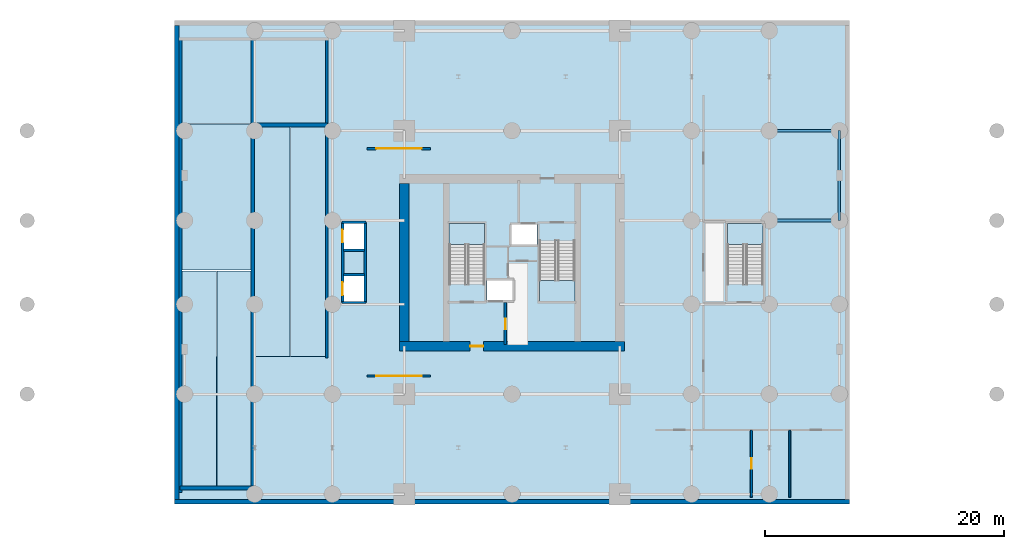
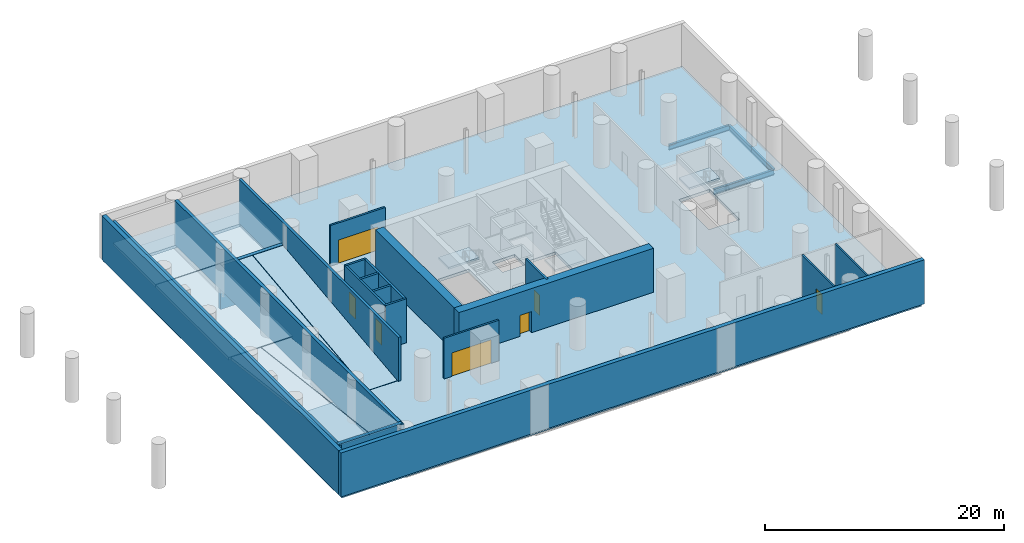
# One storey, part 5 of 8: 20 walls, 10 slabs, 7 doors, 4 beams, 7 openings, 3 elements without a shape of their own.
"""IFC4 building model written with IfcOpenShell, lengths in metres."""

from ifc_helpers import new_model, si_unit, direction, frame, frame_2d, origin, origin_2d, place, context, subcontext, project, spatial, polyline, rectangle, i_section, outline, extrude, material, layer, layer_set, material_profile, profile_set, type_object, element, fill, aggregate, save


model = new_model("IFC4")

# Units and contexts
model_context = context("Model", 3, precision=1e-05, world=origin(), true_north=direction((0.0, 1.0)))
body_context = subcontext(model_context, "Body", "Model", "MODEL_VIEW")
ifc_project = project(units=[si_unit("LENGTHUNIT", "METRE"), si_unit("AREAUNIT", "SQUARE_METRE"), si_unit("VOLUMEUNIT", "CUBIC_METRE"), si_unit("PLANEANGLEUNIT", "RADIAN"), si_unit("MASSUNIT", "GRAM", prefix="KILO")], contexts=[model_context])

# Site, building, storey
site_placement = place(None, origin())
site = spatial("IfcSite", under=ifc_project, at=site_placement, CompositionType="ELEMENT")
building_placement = place(site_placement, origin())
building = spatial("IfcBuilding", under=site, at=building_placement, Name="Veldorim Arch Residences", CompositionType="ELEMENT")
storey_placement = place(building_placement, frame((0.0, 0.0, -4.5)))
storey = spatial("IfcBuildingStorey", under=building, at=storey_placement, Name="B1", CompositionType="ELEMENT", Elevation=-4.5)

# Beams
ifc_material_1 = material(Name="Steel S355", Category="steel")
ifc_material_profile_1 = material_profile(ifc_material_1, i_section(OverallWidth=0.2099609375, OverallDepth=0.53662109375, WebThickness=0.0107421875, FlangeThickness=0.017333984375, at=origin_2d()), Name="UB533x210x101")
ifc_profile_set_1 = profile_set([ifc_material_profile_1], Name="Steel S355")
beam_type_1 = type_object("IfcBeamType", Name="Structural Steel Beam UB533x210x101", PredefinedType="BEAM", material=ifc_profile_set_1)
for number, where, z_axis, x_axis, name in (
    (1, (59.35009765625, 27.5, -0.568359375), (0.0, 1.0, 0.0), (-1.0, 0.0, 0.0), "B1 north-south floor beam (X=59.4, 27.5-31.2)"),
    (2, (59.35009765625, 31.25, -0.568359375), (0.0, 1.0, 0.0), (-1.0, 0.0, 0.0), "B1 north-south floor beam (X=59.4, 31.2-35.0)"),
):
    element("IfcBeam", number, at=place(storey_placement, frame(where, z_axis=z_axis, x_axis=x_axis)), inside=storey, type_object=beam_type_1, Name=name, PredefinedType="BEAM", context=body_context, shape_type="SweptSolid", body=[
        extrude(i_section(OverallWidth=0.2099609375, OverallDepth=0.53662109375, WebThickness=0.0107421875, FlangeThickness=0.017333984375, at=origin_2d()), origin(), (0.0, 0.0, 1.0), 3.75),
    ])
ifc_material_2 = material(Name="Steel S355", Category="steel")
ifc_material_profile_2 = material_profile(ifc_material_2, i_section(OverallWidth=0.2119140625, OverallDepth=0.54443359375, WebThickness=0.0126953125, FlangeThickness=0.021240234375, at=origin_2d()), Name="UB533x210x122")
ifc_profile_set_2 = profile_set([ifc_material_profile_2], Name="Steel S355")
beam_type_2 = type_object("IfcBeamType", Name="Structural Steel Beam UB533x210x122", PredefinedType="BEAM", material=ifc_profile_set_2)
for number, where, z_axis, x_axis, name in (
    (3, (53.5, 27.5, -0.572265625), (1.0, 0.0, 0.0), (0.0, 1.0, 0.0), "B1 east-west floor beam (53.5-59.4, Y=27.5)"),
    (4, (53.5, 35.0, -0.572265625), (1.0, 0.0, 0.0), (0.0, 1.0, 0.0), "B1 east-west floor beam (53.5-59.4, Y=35.0)"),
):
    element("IfcBeam", number, at=place(storey_placement, frame(where, z_axis=z_axis, x_axis=x_axis)), inside=storey, type_object=beam_type_2, Name=name, PredefinedType="BEAM", context=body_context, shape_type="SweptSolid", body=[
        extrude(i_section(OverallWidth=0.2119140625, OverallDepth=0.54443359375, WebThickness=0.0126953125, FlangeThickness=0.021240234375, at=origin_2d()), origin(), (0.0, 0.0, 1.0), 5.85009765625),
    ])

# Slab
ifc_material_3 = material(Name="Concrete C40/50", Category="concrete")
ifc_layer_1 = layer(ifc_material_3, 0.300048828125, Name="Basement B1 Suspended Car Park Slab 300")
ifc_layer_set_1 = layer_set([ifc_layer_1], Name="Concrete C40/50")
slab_type_1 = type_object("IfcSlabType", Name="Basement B1 Suspended Car Park Slab 300", PredefinedType="FLOOR", material=ifc_layer_set_1)
slab_1_placement = place(storey_placement, frame((0.0, 0.0, -0.300048828125)))
element("IfcSlab", 5, at=slab_1_placement, inside=storey, type_object=slab_type_1, Name="B1 car park floor slab", PredefinedType="FLOOR", context=body_context, shape_type="SweptSolid", body=[
    extrude(outline(polyline([(4.0, 4.0), (60.0, 4.0), (60.0, 44.0), (4.0, 44.0), (4.0, 4.0)]), holes=[polyline([(29.909912109375, 20.81494140625), (29.909912109375, 22.544921875), (32.090087890625, 22.544921875), (32.090087890625, 20.81494140625), (29.909912109375, 20.81494140625)]), polyline([(17.93505859375, 20.7099609375), (17.93505859375, 22.889892578125), (19.6650390625, 22.889892578125), (19.6650390625, 20.7099609375), (17.93505859375, 20.7099609375)]), polyline([(34.2900390625, 20.75), (34.2900390625, 25.804931640625), (37.25, 25.804931640625), (37.25, 20.75), (34.2900390625, 20.75)]), polyline([(26.75, 22.195068359375), (26.75, 27.25), (29.7099609375, 27.25), (29.7099609375, 22.195068359375), (26.75, 22.195068359375)]), polyline([(50.0, 22.195068359375), (50.0, 27.25), (52.9599609375, 27.25), (52.9599609375, 22.195068359375), (50.0, 22.195068359375)]), polyline([(17.93505859375, 25.110107421875), (17.93505859375, 27.2900390625), (19.6650390625, 27.2900390625), (19.6650390625, 25.110107421875), (17.93505859375, 25.110107421875)]), polyline([(31.909912109375, 25.455078125), (31.909912109375, 27.18505859375), (34.090087890625, 27.18505859375), (34.090087890625, 25.455078125), (31.909912109375, 25.455078125)]), polyline([(4.39990234375, 16.1201171875), (4.39990234375, 42.550048828125), (16.43994140625, 42.550048828125), (16.43994140625, 16.1201171875), (4.39990234375, 16.1201171875)])]), origin(), (0.0, 0.0, 1.0), 0.300048828125),
])

# Stair, slab
ifc_material_4 = material(Name="Concrete C40/50", Category="concrete")
stair_type = type_object("IfcStairType", Name="Reinforced Concrete Dogleg Exit Staircase", PredefinedType="HALF_TURN_STAIR", material=ifc_material_4)
stair_1_placement = place(storey_placement, origin())
stair_1 = element("IfcStair", 6, at=stair_1_placement, inside=storey, type_object=stair_type, Name="B1 Exit Staircase ST-1", PredefinedType="HALF_TURN_STAIR")
ifc_material_5 = material(Name="Concrete C40/50", Category="concrete")
ifc_layer_2 = layer(ifc_material_5, 0.199951171875, Name="Reinforced Concrete Stair Landing 200")
ifc_layer_set_2 = layer_set([ifc_layer_2], Name="Concrete C40/50")
slab_type_2 = type_object("IfcSlabType", Name="Reinforced Concrete Stair Landing 200", PredefinedType="LANDING", material=ifc_layer_set_2)
slab_2_placement = place(storey_placement, frame((0.0, 0.0, 2.050048828125)))
slab_2 = element("IfcSlab", 7, at=slab_2_placement, type_object=slab_type_2, Name="ST-1 landing 1", PredefinedType="LANDING", context=body_context, shape_type="SweptSolid", body=[
    extrude(outline(polyline([(29.7099609375, 25.510009765625), (29.7099609375, 27.25), (26.75, 27.25), (26.75, 25.510009765625), (29.7099609375, 25.510009765625)])), origin(), (0.0, 0.0, 1.0), 0.199951171875),
])
aggregate(stair_1, [slab_2])

stair_2_placement = place(storey_placement, origin())
stair_2 = element("IfcStair", 8, at=stair_2_placement, inside=storey, type_object=stair_type, Name="B1 Exit Staircase ST-2", PredefinedType="HALF_TURN_STAIR")
slab_3_placement = place(storey_placement, frame((0.0, 0.0, 2.050048828125)))
slab_3 = element("IfcSlab", 9, at=slab_3_placement, type_object=slab_type_2, Name="ST-2 landing 1", PredefinedType="LANDING", context=body_context, shape_type="SweptSolid", body=[
    extrude(outline(polyline([(34.2900390625, 22.489990234375), (34.2900390625, 20.75), (37.25, 20.75), (37.25, 22.489990234375), (34.2900390625, 22.489990234375)])), origin(), (0.0, 0.0, 1.0), 0.199951171875),
])
aggregate(stair_2, [slab_3])

stair_3_placement = place(storey_placement, origin())
stair_3 = element("IfcStair", 10, at=stair_3_placement, inside=storey, type_object=stair_type, Name="B1 Exit Staircase ST-3", PredefinedType="HALF_TURN_STAIR")
slab_4_placement = place(storey_placement, frame((0.0, 0.0, 2.050048828125)))
slab_4 = element("IfcSlab", 11, at=slab_4_placement, type_object=slab_type_2, Name="ST-3 landing 1", PredefinedType="LANDING", context=body_context, shape_type="SweptSolid", body=[
    extrude(outline(polyline([(52.9599609375, 25.510009765625), (52.9599609375, 27.25), (50.0, 27.25), (50.0, 25.510009765625), (52.9599609375, 25.510009765625)])), origin(), (0.0, 0.0, 1.0), 0.199951171875),
])
aggregate(stair_3, [slab_4])

# Slabs
ifc_material_6 = material(Name="Concrete C40/50", Category="concrete")
ifc_layer_3 = layer(ifc_material_6, 0.300048828125, Name="Vehicle Ramp Sloped Structural Slab 300")
ifc_layer_set_3 = layer_set([ifc_layer_3], Name="Concrete C40/50")
slab_type_3 = type_object("IfcSlabType", Name="Vehicle Ramp Sloped Structural Slab 300", PredefinedType="FLOOR", material=ifc_layer_set_3)
slab_5_placement = place(storey_placement, frame((10.47998046875, 16.14990234375, 0.0), z_axis=(0.0, -0.115147649658, 0.993348387414), x_axis=(1.0, 0.0, 0.0)))
element("IfcSlab", 12, at=slab_5_placement, inside=storey, type_object=slab_type_3, Name="Car park vehicle ramp R-01 B1 inner flight lane A", PredefinedType="FLOOR", context=body_context, shape_type="SweptSolid", body=[
    extrude(outline(polyline([(0.0, 0.0), (2.9599609375, 0.0), (2.9599609375, 19.54012962212416), (0.0, 19.54012962212416), (0.0, 0.0)])), origin(), (0.0, 0.0, -1.0), 0.300048828125),
])
slab_6_placement = place(storey_placement, frame((13.47998046875, 16.14990234375, 0.0), z_axis=(0.0, -0.115147649658, 0.993348387414), x_axis=(1.0, 0.0, 0.0)))
element("IfcSlab", 13, at=slab_6_placement, inside=storey, type_object=slab_type_3, Name="Car park vehicle ramp R-01 B1 inner flight lane B", PredefinedType="FLOOR", context=body_context, shape_type="SweptSolid", body=[
    extrude(outline(polyline([(0.0, 0.0), (2.93994140625, 0.0), (2.93994140625, 19.54012962212416), (0.0, 19.54012962212416), (0.0, 0.0)])), origin(), (0.0, 0.0, -1.0), 0.300048828125),
])
slab_7_placement = place(storey_placement, frame((4.419921875, 5.139892578125, 4.5), z_axis=(0.0, 0.122957469993, 0.992411940967), x_axis=(1.0, 0.0, 0.0)))
element("IfcSlab", 14, at=slab_7_placement, inside=storey, type_object=slab_type_3, Name="Car park vehicle ramp R-01 B1 outer flight lane A", PredefinedType="FLOOR", context=body_context, shape_type="SweptSolid", body=[
    extrude(outline(polyline([(0.0, 0.0), (2.880126953125, 0.0), (2.880126953125, 18.299010219801893), (0.0, 18.299010219801893), (0.0, 0.0)])), origin(), (0.0, 0.0, -1.0), 0.300048828125),
])
slab_8_placement = place(storey_placement, frame((7.340087890625, 5.139892578125, 4.5), z_axis=(0.0, 0.122957469993, 0.992411940967), x_axis=(1.0, 0.0, 0.0)))
element("IfcSlab", 15, at=slab_8_placement, inside=storey, type_object=slab_type_3, Name="Car park vehicle ramp R-01 B1 outer flight lane B", PredefinedType="FLOOR", context=body_context, shape_type="SweptSolid", body=[
    extrude(outline(polyline([(0.0, 0.0), (2.8798828125, 0.0), (2.8798828125, 18.29901021980189), (0.0, 18.29901021980189), (0.0, 0.0)])), origin(), (0.0, 0.0, -1.0), 0.300048828125),
])
ifc_material_7 = material(Name="Concrete C40/50", Category="concrete")
ifc_layer_4 = layer(ifc_material_7, 0.300048828125, Name="Vehicle Ramp Swept Half-Landing Slab 300")
ifc_layer_set_4 = layer_set([ifc_layer_4], Name="Concrete C40/50")
slab_type_4 = type_object("IfcSlabType", Name="Vehicle Ramp Swept Half-Landing Slab 300", PredefinedType="LANDING", material=ifc_layer_set_4)
slab_9_placement = place(storey_placement, frame((0.0, 0.0, 1.949951171875)))
element("IfcSlab", 16, at=slab_9_placement, inside=storey, type_object=slab_type_4, Name="Car park vehicle ramp R-01 B1 half-landing", PredefinedType="LANDING", context=body_context, shape_type="SweptSolid", body=[
    extrude(outline(polyline([(4.25, 35.6201171875), (16.60009765625, 35.6201171875), (16.60009765625, 42.699951171875), (4.25, 42.699951171875), (4.25, 35.6201171875)])), origin(), (0.0, 0.0, 1.0), 0.300048828125),
])
slab_10_placement = place(storey_placement, frame((0.0, 0.0, 1.949951171875)))
element("IfcSlab", 17, at=slab_10_placement, inside=storey, type_object=slab_type_4, Name="Car park vehicle ramp R-01 B1 approach deck", PredefinedType="LANDING", context=body_context, shape_type="SweptSolid", body=[
    extrude(outline(polyline([(4.25, 23.360107421875), (10.449951171875, 23.360107421875), (10.449951171875, 35.580078125), (4.25, 35.580078125), (4.25, 23.360107421875)])), origin(), (0.0, 0.0, 1.0), 0.300048828125),
])

# Walls
ifc_material_8 = material(Name="Concrete C40/50", Category="concrete")
ifc_layer_5 = layer(ifc_material_8, 0.39990234375, Name="Basement Perimeter Retaining Wall 400")
ifc_layer_set_5 = layer_set([ifc_layer_5], Name="Concrete C40/50")
wall_type_1 = type_object("IfcWallType", Name="Basement Perimeter Retaining Wall 400", PredefinedType="USERDEFINED", material=ifc_layer_set_5)
wall_1_placement = place(storey_placement, frame((3.800048828125, 4.0, 0.0), z_axis=(0.0, 0.0, 1.0), x_axis=(1.0, 0.0, 0.0)))
element("IfcWall", 18, at=wall_1_placement, inside=storey, type_object=wall_type_1, Name="B1 south retaining wall", ObjectType="RETAINING WALL", PredefinedType="USERDEFINED", context=body_context, shape_type="SweptSolid", body=[
    extrude(rectangle(XDim=56.39990234375, YDim=0.39990234375, at=frame_2d((28.199951171875, 0.0))), origin(), (0.0, 0.0, 1.0), 4.5),
])
wall_2_placement = place(storey_placement, frame((4.0, 4.199951171875, 0.0), z_axis=(0.0, 0.0, 1.0), x_axis=(0.0, 1.0, 0.0)))
element("IfcWall", 19, at=wall_2_placement, inside=storey, type_object=wall_type_1, Name="B1 west retaining wall", ObjectType="RETAINING WALL", PredefinedType="USERDEFINED", context=body_context, shape_type="SweptSolid", body=[
    extrude(rectangle(XDim=39.60009765625, YDim=0.39990234375, at=frame_2d((19.800048828125, 0.0))), origin(), (0.0, 0.0, 1.0), 4.5),
])

# Wall, opening, door
ifc_material_9 = material(Name="Lightweight Masonry Block & Gypsum", Category="masonry")
ifc_layer_6 = layer(ifc_material_9, 0.179931640625, Name="Compartment & Corridor Fire-Rated Party Wall 180")
ifc_layer_set_6 = layer_set([ifc_layer_6], Name="Lightweight Masonry Block & Gypsum")
wall_type_2 = type_object("IfcWallType", Name="Compartment & Corridor Fire-Rated Party Wall 180", PredefinedType="PARTITIONING", material=ifc_layer_set_6)
wall_3_placement = place(storey_placement, frame((19.89990234375, 14.5, 0.0), z_axis=(0.0, 0.0, 1.0), x_axis=(1.0, 0.0, 0.0)))
wall_3 = element("IfcWall", 20, at=wall_3_placement, inside=storey, type_object=wall_type_2, Name="B1 interior wall WL-BSM-GATE-B1-1", PredefinedType="PARTITIONING", context=body_context, shape_type="SweptSolid", body=[
    extrude(rectangle(XDim=5.300048828125, YDim=0.179931640625, at=frame_2d((2.64990234375, 0.0))), origin(), (0.0, 0.0, 1.0), 4.14501953125),
])
opening_1_placement = place(wall_3_placement, frame((0.75, 0.0, 0.0)))
opening_1 = element("IfcOpeningElement", 21, at=opening_1_placement, cuts=wall_3, Name="Opening VG-INT", PredefinedType="OPENING", context=body_context, shape_type="SweptSolid", body=[
    extrude(rectangle(XDim=3.800048828125, YDim=2.39990234375, at=frame_2d((1.89990234375, 1.199951171875))), frame((0.0, 0.099853515625, 0.0), z_axis=(0.0, -1.0, 0.0), x_axis=(1.0, 0.0, 0.0)), (0.0, 0.0, 1.0), 0.199951171875),
])
ifc_material_10 = material(Name="Galvanised Fire Steel", Category="steel")
door_type_1 = type_object("IfcDoorType", Name="Basement Zone Fire-Shutter Gate 3800x2400", OperationType="ROLLINGUP", PredefinedType="GATE", material=ifc_material_10)
door_1_placement = place(opening_1_placement, origin())
door_1 = element("IfcDoor", 22, at=door_1_placement, inside=storey, type_object=door_type_1, Name="B1 interior door VG-B1-01", OperationType="ROLLINGUP", OverallHeight=2.39990234375, OverallWidth=3.800048828125, PredefinedType="GATE", context=body_context, shape_type="SweptSolid", body=[
    extrude(rectangle(XDim=3.800048828125, YDim=2.39990234375, at=frame_2d((1.89990234375, 1.199951171875))), frame((0.0, 0.02490234375, 0.0), z_axis=(0.0, -1.0, 0.0), x_axis=(1.0, 0.0, 0.0)), (0.0, 0.0, 1.0), 0.050048828125),
])
fill(opening_1, door_1)

wall_4_placement = place(storey_placement, frame((19.89990234375, 33.5, 0.0), z_axis=(0.0, 0.0, 1.0), x_axis=(1.0, 0.0, 0.0)))
wall_4 = element("IfcWall", 23, at=wall_4_placement, inside=storey, type_object=wall_type_2, Name="B1 interior wall WL-BSM-GATE-B1-2", PredefinedType="PARTITIONING", context=body_context, shape_type="SweptSolid", body=[
    extrude(rectangle(XDim=5.300048828125, YDim=0.179931640625, at=frame_2d((2.64990234375, 0.0))), origin(), (0.0, 0.0, 1.0), 4.14501953125),
])
opening_2_placement = place(wall_4_placement, frame((0.75, 0.0, 0.0)))
opening_2 = element("IfcOpeningElement", 24, at=opening_2_placement, cuts=wall_4, Name="Opening VG-INT", PredefinedType="OPENING", context=body_context, shape_type="SweptSolid", body=[
    extrude(rectangle(XDim=3.800048828125, YDim=2.39990234375, at=frame_2d((1.89990234375, 1.199951171875))), frame((0.0, 0.099853515625, 0.0), z_axis=(0.0, -1.0, 0.0), x_axis=(1.0, 0.0, 0.0)), (0.0, 0.0, 1.0), 0.199951171875),
])
door_2_placement = place(opening_2_placement, origin())
door_2 = element("IfcDoor", 25, at=door_2_placement, inside=storey, type_object=door_type_1, Name="B1 interior door VG-B1-02", OperationType="ROLLINGUP", OverallHeight=2.39990234375, OverallWidth=3.800048828125, PredefinedType="GATE", context=body_context, shape_type="SweptSolid", body=[
    extrude(rectangle(XDim=3.800048828125, YDim=2.39990234375, at=frame_2d((1.89990234375, 1.199951171875))), frame((0.0, 0.02490234375, 0.0), z_axis=(0.0, -1.0, 0.0), x_axis=(1.0, 0.0, 0.0)), (0.0, 0.0, 1.0), 0.050048828125),
])
fill(opening_2, door_2)

ifc_material_11 = material(Name="Concrete C50/60", Category="concrete")
ifc_layer_7 = layer(ifc_material_11, 0.199951171875, Name="Core Stair & Lift Shaft Enclosure Wall 200")
ifc_layer_set_7 = layer_set([ifc_layer_7], Name="Concrete C50/60")
wall_type_3 = type_object("IfcWallType", Name="Core Stair & Lift Shaft Enclosure Wall 200", PredefinedType="SHEAR", material=ifc_layer_set_7)
wall_5_placement = place(storey_placement, frame((31.449951171875, 17.14990234375, 0.0), z_axis=(0.0, 0.0, 1.0), x_axis=(0.0, 1.0, 0.0)))
wall_5 = element("IfcWall", 26, at=wall_5_placement, inside=storey, type_object=wall_type_3, Name="B1 shaft wall WL-FFL1-B1-E", PredefinedType="SHEAR", context=body_context, shape_type="SweptSolid", body=[
    extrude(rectangle(XDim=3.5, YDim=0.199951171875, at=frame_2d((1.75, 0.0))), origin(), (0.0, 0.0, 1.0), 4.5),
])
opening_3_placement = place(wall_5_placement, frame((1.25, 0.0, 0.0)))
opening_3 = element("IfcOpeningElement", 27, at=opening_3_placement, cuts=wall_5, Name="Opening DR-SVC", PredefinedType="OPENING", context=body_context, shape_type="SweptSolid", body=[
    extrude(rectangle(XDim=0.89990234375, YDim=2.10009765625, at=frame_2d((0.449951171875, 1.050048828125))), frame((0.0, 0.10986328125, 0.0), z_axis=(0.0, -1.0, 0.0), x_axis=(1.0, 0.0, 0.0)), (0.0, 0.0, 1.0), 0.219970703125),
])
ifc_material_12 = material(Name="Fire-Rated Steel", Category="steel")
door_type_2 = type_object("IfcDoorType", Name="Riser, Shelter & Plant Room Rated Steel Door 900x2100", OperationType="SINGLE_SWING_LEFT", PredefinedType="DOOR", material=ifc_material_12)
door_3_placement = place(opening_3_placement, origin())
door_3 = element("IfcDoor", 28, at=door_3_placement, inside=storey, type_object=door_type_2, Name="B1 interior door DR-B1-COR-ANC", OperationType="SINGLE_SWING_LEFT", OverallHeight=2.10009765625, OverallWidth=0.89990234375, PredefinedType="DOOR", context=body_context, shape_type="SweptSolid", body=[
    extrude(rectangle(XDim=0.89990234375, YDim=2.10009765625, at=frame_2d((0.449951171875, 1.050048828125))), frame((0.0, 0.02490234375, 0.0), z_axis=(0.0, -1.0, 0.0), x_axis=(1.0, 0.0, 0.0)), (0.0, 0.0, 1.0), 0.050048828125),
])
fill(opening_3, door_3)

# Wall, openings, doors
wall_6_placement = place(storey_placement, frame((17.85009765625, 20.64990234375, 0.0), z_axis=(0.0, 0.0, 1.0), x_axis=(0.0, 1.0, 0.0)))
wall_6 = element("IfcWall", 29, at=wall_6_placement, inside=storey, type_object=wall_type_3, Name="B1 shaft wall WL-SHF-B1-CL-W", PredefinedType="SHEAR", context=body_context, shape_type="SweptSolid", body=[
    extrude(rectangle(XDim=6.7001953125, YDim=0.199951171875, at=frame_2d((3.35009765625, 0.0))), origin(), (0.0, 0.0, 1.0), 4.5),
])
opening_4_placement = place(wall_6_placement, frame((0.625, 0.0, 0.0)))
opening_4 = element("IfcOpeningElement", 30, at=opening_4_placement, cuts=wall_6, Name="Opening LD-PS", PredefinedType="OPENING", context=body_context, shape_type="SweptSolid", body=[
    extrude(rectangle(XDim=1.050048828125, YDim=2.14990234375, at=frame_2d((0.52490234375, 1.074951171875))), frame((0.0, 0.10986328125, 0.0), z_axis=(0.0, -1.0, 0.0), x_axis=(1.0, 0.0, 0.0)), (0.0, 0.0, 1.0), 0.219970703125),
])
opening_5_placement = place(wall_6_placement, frame((5.02490234375, 0.0, 0.0)))
opening_5 = element("IfcOpeningElement", 31, at=opening_5_placement, cuts=wall_6, Name="Opening LD-PS", PredefinedType="OPENING", context=body_context, shape_type="SweptSolid", body=[
    extrude(rectangle(XDim=1.050048828125, YDim=2.14990234375, at=frame_2d((0.52490234375, 1.074951171875))), frame((0.0, 0.10986328125, 0.0), z_axis=(0.0, -1.0, 0.0), x_axis=(1.0, 0.0, 0.0)), (0.0, 0.0, 1.0), 0.219970703125),
])
ifc_material_13 = material(Name="Stainless Steel", Category="steel")
door_type_3 = type_object("IfcDoorType", Name="Passenger Lift Bi-Parting Sliding Landing Door 1050x2150", OperationType="DOUBLE_DOOR_SLIDING", PredefinedType="DOOR", material=ifc_material_13)
door_4_placement = place(opening_4_placement, origin())
door_4 = element("IfcDoor", 32, at=door_4_placement, inside=storey, type_object=door_type_3, Name="B1 lift landing door LD-B1-CL-01", OperationType="DOUBLE_DOOR_SLIDING", OverallHeight=2.14990234375, OverallWidth=1.050048828125, PredefinedType="DOOR", context=body_context, shape_type="SweptSolid", body=[
    extrude(rectangle(XDim=1.050048828125, YDim=2.14990234375, at=frame_2d((0.52490234375, 1.074951171875))), frame((0.0, 0.02490234375, 0.0), z_axis=(0.0, -1.0, 0.0), x_axis=(1.0, 0.0, 0.0)), (0.0, 0.0, 1.0), 0.050048828125),
])
fill(opening_4, door_4)
door_5_placement = place(opening_5_placement, origin())
door_5 = element("IfcDoor", 33, at=door_5_placement, inside=storey, type_object=door_type_3, Name="B1 lift landing door LD-B1-CL-02", OperationType="DOUBLE_DOOR_SLIDING", OverallHeight=2.14990234375, OverallWidth=1.050048828125, PredefinedType="DOOR", context=body_context, shape_type="SweptSolid", body=[
    extrude(rectangle(XDim=1.050048828125, YDim=2.14990234375, at=frame_2d((0.52490234375, 1.074951171875))), frame((0.0, 0.02490234375, 0.0), z_axis=(0.0, -1.0, 0.0), x_axis=(1.0, 0.0, 0.0)), (0.0, 0.0, 1.0), 0.050048828125),
])
fill(opening_5, door_5)

# Walls
wall_7_placement = place(storey_placement, frame((19.75, 20.64990234375, 0.0), z_axis=(0.0, 0.0, 1.0), x_axis=(0.0, 1.0, 0.0)))
element("IfcWall", 34, at=wall_7_placement, inside=storey, type_object=wall_type_3, Name="B1 shaft wall WL-SHF-B1-CL-E", PredefinedType="SHEAR", context=body_context, shape_type="SweptSolid", body=[
    extrude(rectangle(XDim=6.7001953125, YDim=0.199951171875, at=frame_2d((3.35009765625, 0.0))), origin(), (0.0, 0.0, 1.0), 4.5),
])
for number, where, z_axis, x_axis, name in (
    (35, (17.800048828125, 20.64990234375, 0.0), (0.0, 0.0, 1.0), (1.0, 0.0, 0.0), "B1 shaft wall WL-SHF-B1-CL-S"),
    (36, (17.800048828125, 27.35009765625, 0.0), (0.0, 0.0, 1.0), (1.0, 0.0, 0.0), "B1 shaft wall WL-SHF-B1-CL-N"),
):
    element("IfcWall", number, at=place(storey_placement, frame(where, z_axis=z_axis, x_axis=x_axis)), inside=storey, type_object=wall_type_3, Name=name, PredefinedType="SHEAR", context=body_context, shape_type="SweptSolid", body=[
        extrude(rectangle(XDim=2.0, YDim=0.199951171875, at=frame_2d((1.0, 0.0))), origin(), (0.0, 0.0, 1.0), 4.5),
    ])
for number, where, z_axis, x_axis, name in (
    (37, (17.919921875, 22.969970703125, 0.0), (0.0, 0.0, 1.0), (1.0, 0.0, 0.0), "B1 shaft wall WL-SHF-B1-CL-M1"),
    (38, (17.919921875, 25.030029296875, 0.0), (0.0, 0.0, 1.0), (1.0, 0.0, 0.0), "B1 shaft wall WL-SHF-B1-CL-M2"),
):
    element("IfcWall", number, at=place(storey_placement, frame(where, z_axis=z_axis, x_axis=x_axis)), inside=storey, type_object=wall_type_3, Name=name, PredefinedType="SHEAR", context=body_context, shape_type="SweptSolid", body=[
        extrude(rectangle(XDim=1.760009765625, YDim=0.199951171875, at=frame_2d((0.8798828125, 0.0))), origin(), (0.0, 0.0, 1.0), 4.5),
    ])

# Wall, opening, door
ifc_material_14 = material(Name="Concrete C60/75", Category="concrete")
ifc_layer_8 = layer(ifc_material_14, 0.800048828125, Name="Lower Central Core Shear Wall 800")
ifc_layer_set_8 = layer_set([ifc_layer_8], Name="Concrete C60/75")
wall_type_4 = type_object("IfcWallType", Name="Lower Central Core Shear Wall 800", PredefinedType="SHEAR", material=ifc_layer_set_8)
wall_8_placement = place(storey_placement, frame((22.60009765625, 17.0, 0.0), z_axis=(0.0, 0.0, 1.0), x_axis=(1.0, 0.0, 0.0)))
wall_8 = element("IfcWall", 39, at=wall_8_placement, inside=storey, type_object=wall_type_4, Name="B1 central core south shear wall", PredefinedType="SHEAR", context=body_context, shape_type="SweptSolid", body=[
    extrude(rectangle(XDim=18.7998046875, YDim=0.800048828125, at=frame_2d((9.39990234375, 0.0))), origin(), (0.0, 0.0, 1.0), 4.5),
])
opening_6_placement = place(wall_8_placement, frame((5.89990234375, 0.0, 0.0)))
opening_6 = element("IfcOpeningElement", 40, at=opening_6_placement, cuts=wall_8, Name="Opening DR-FFL", PredefinedType="OPENING", context=body_context, shape_type="SweptSolid", body=[
    extrude(rectangle(XDim=1.10009765625, YDim=2.14990234375, at=frame_2d((0.550048828125, 1.074951171875))), frame((0.0, 0.409912109375, 0.0), z_axis=(0.0, -1.0, 0.0), x_axis=(1.0, 0.0, 0.0)), (0.0, 0.0, 1.0), 0.820068359375),
])
ifc_material_15 = material(Name="Fire-Rated Steel & Vision Glass", Category="steel")
door_type_4 = type_object("IfcDoorType", Name="Firefighting Lobby Smoke-Stop Fire Door 1100x2150", OperationType="SINGLE_SWING_LEFT", PredefinedType="DOOR", material=ifc_material_15)
door_6_placement = place(opening_6_placement, origin())
door_6 = element("IfcDoor", 41, at=door_6_placement, inside=storey, type_object=door_type_4, Name="B1 interior door DR-B1-FFL1", OperationType="SINGLE_SWING_RIGHT", OverallHeight=2.14990234375, OverallWidth=1.10009765625, PredefinedType="DOOR", context=body_context, shape_type="SweptSolid", body=[
    extrude(rectangle(XDim=1.10009765625, YDim=2.14990234375, at=frame_2d((0.550048828125, 1.074951171875))), frame((0.0, 0.02490234375, 0.0), z_axis=(0.0, -1.0, 0.0), x_axis=(1.0, 0.0, 0.0)), (0.0, 0.0, 1.0), 0.050048828125),
])
fill(opening_6, door_6)

# Walls
wall_9_placement = place(storey_placement, frame((23.0, 17.39990234375, 0.0), z_axis=(0.0, 0.0, 1.0), x_axis=(0.0, 1.0, 0.0)))
element("IfcWall", 42, at=wall_9_placement, inside=storey, type_object=wall_type_4, Name="B1 central core west shear wall", PredefinedType="SHEAR", context=body_context, shape_type="SweptSolid", body=[
    extrude(rectangle(XDim=13.2001953125, YDim=0.800048828125, at=frame_2d((6.60009765625, 0.0))), origin(), (0.0, 0.0, 1.0), 4.5),
])
ifc_material_16 = material(Name="Concrete C50/60", Category="concrete")
ifc_layer_9 = layer(ifc_material_16, 0.25, Name="Vehicle Ramp Structural Enclosure Wall 250")
ifc_layer_set_9 = layer_set([ifc_layer_9], Name="Concrete C50/60")
wall_type_5 = type_object("IfcWallType", Name="Vehicle Ramp Structural Enclosure Wall 250", PredefinedType="SHEAR", material=ifc_layer_set_9)
wall_10_placement = place(storey_placement, frame((4.324951171875, 4.800048828125, 0.0), z_axis=(0.0, 0.0, 1.0), x_axis=(0.0, 1.0, 0.0)))
element("IfcWall", 43, at=wall_10_placement, inside=storey, type_object=wall_type_5, Name="B1 ramp west support wall", PredefinedType="SHEAR", context=body_context, shape_type="SweptSolid", body=[
    extrude(rectangle(XDim=37.89990234375, YDim=0.25, at=frame_2d((18.949951171875, 0.0))), origin(), (0.0, 0.0, 1.0), 4.5),
])
wall_11_placement = place(storey_placement, frame((10.35009765625, 4.800048828125, 0.0), z_axis=(0.0, 0.0, 1.0), x_axis=(0.0, 1.0, 0.0)))
element("IfcWall", 44, at=wall_11_placement, inside=storey, type_object=wall_type_5, Name="B1 ramp median support wall", PredefinedType="SHEAR", context=body_context, shape_type="SweptSolid", body=[
    extrude(rectangle(XDim=37.89990234375, YDim=0.300048828125, at=frame_2d((18.949951171875, 0.0))), origin(), (0.0, 0.0, 1.0), 4.5),
])
wall_12_placement = place(storey_placement, frame((16.52490234375, 16.0, 0.0), z_axis=(0.0, 0.0, 1.0), x_axis=(0.0, 1.0, 0.0)))
element("IfcWall", 45, at=wall_12_placement, inside=storey, type_object=wall_type_5, Name="B1 ramp east shaft wall", PredefinedType="SHEAR", context=body_context, shape_type="SweptSolid", body=[
    extrude(rectangle(XDim=26.699951171875, YDim=0.25, at=frame_2d((13.35009765625, 0.0))), origin(), (0.0, 0.0, 1.0), 4.5),
])
wall_13_placement = place(storey_placement, frame((10.35009765625, 35.47998046875, -2.25), z_axis=(0.0, 0.0, 1.0), x_axis=(1.0, 0.0, 0.0)))
element("IfcWall", 46, at=wall_13_placement, inside=storey, type_object=wall_type_5, Name="B1 ramp half-landing transverse support wall", PredefinedType="SHEAR", context=body_context, shape_type="SweptSolid", body=[
    extrude(rectangle(XDim=6.25, YDim=0.35009765625, at=frame_2d((3.125, 0.0))), origin(), (0.0, 0.0, 1.0), 4.5),
])
wall_14_placement = place(storey_placement, frame((4.25, 5.14990234375, 0.0), z_axis=(0.0, 0.0, 1.0), x_axis=(1.0, 0.0, 0.0)))
element("IfcWall", 47, at=wall_14_placement, inside=storey, type_object=wall_type_5, Name="B1 ramp arrival sill transverse support wall", PredefinedType="SHEAR", context=body_context, shape_type="SweptSolid", body=[
    extrude(rectangle(XDim=6.199951171875, YDim=0.35009765625, at=frame_2d((3.10009765625, 0.0))), origin(), (0.0, 0.0, 1.0), 4.5),
])

# Wall, opening, door
ifc_material_17 = material(Name="Moisture-Resistant Gypsum & Stud", Category="gypsum")
ifc_layer_10 = layer(ifc_material_17, 0.159912109375, Name="Wet-Area Moisture-Resistant Plumbing Wall 160")
ifc_layer_set_10 = layer_set([ifc_layer_10], Name="Moisture-Resistant Gypsum & Stud")
wall_type_6 = type_object("IfcWallType", Name="Wet-Area Moisture-Resistant Plumbing Wall 160", PredefinedType="PLUMBINGWALL", material=ifc_layer_set_10)
wall_15_placement = place(storey_placement, frame((52.0, 10.0, 0.0), z_axis=(0.0, 0.0, 1.0), x_axis=(0.0, -1.0, 0.0)))
wall_15 = element("IfcWall", 48, at=wall_15_placement, inside=storey, type_object=wall_type_6, Name="B1 interior wall WL-BSM-B1-004", PredefinedType="PLUMBINGWALL", context=body_context, shape_type="SweptSolid", body=[
    extrude(rectangle(XDim=5.60009765625, YDim=0.159912109375, at=frame_2d((2.800048828125, 0.0))), origin(), (0.0, 0.0, 1.0), 4.14501953125),
])
opening_7_placement = place(wall_15_placement, frame((2.35009765625, 0.0, 0.0)))
opening_7 = element("IfcOpeningElement", 49, at=opening_7_placement, cuts=wall_15, Name="Opening DR-WC", PredefinedType="OPENING", context=body_context, shape_type="SweptSolid", body=[
    extrude(rectangle(XDim=0.89990234375, YDim=2.10009765625, at=frame_2d((0.449951171875, 1.050048828125))), frame((0.0, 0.08984375, 0.0), z_axis=(0.0, -1.0, 0.0), x_axis=(1.0, 0.0, 0.0)), (0.0, 0.0, 1.0), 0.179931640625),
])
ifc_material_18 = material(Name="Laminate Timber", Category="wood")
door_type_5 = type_object("IfcDoorType", Name="Bathroom & Accessible WC Moisture-Sealed Door 900x2100", OperationType="SINGLE_SWING_LEFT", PredefinedType="DOOR", material=ifc_material_18)
door_7_placement = place(opening_7_placement, origin())
door_7 = element("IfcDoor", 50, at=door_7_placement, inside=storey, type_object=door_type_5, Name="B1 interior door DR-BSM-B1-002", OperationType="SINGLE_SWING_RIGHT", OverallHeight=2.10009765625, OverallWidth=0.89990234375, PredefinedType="DOOR", context=body_context, shape_type="SweptSolid", body=[
    extrude(rectangle(XDim=0.89990234375, YDim=2.10009765625, at=frame_2d((0.449951171875, 1.050048828125))), frame((0.0, 0.02490234375, 0.0), z_axis=(0.0, -1.0, 0.0), x_axis=(1.0, 0.0, 0.0)), (0.0, 0.0, 1.0), 0.050048828125),
])
fill(opening_7, door_7)

# Wall
wall_16_placement = place(storey_placement, frame((55.199951171875, 10.0, 0.0), z_axis=(0.0, 0.0, 1.0), x_axis=(0.0, -1.0, 0.0)))
element("IfcWall", 51, at=wall_16_placement, inside=storey, type_object=wall_type_6, Name="B1 interior wall WL-BSM-B1-005", PredefinedType="PLUMBINGWALL", context=body_context, shape_type="SweptSolid", body=[
    extrude(rectangle(XDim=5.60009765625, YDim=0.159912109375, at=frame_2d((2.800048828125, 0.0))), origin(), (0.0, 0.0, 1.0), 4.14501953125),
])

save(model, "model.ifc")
